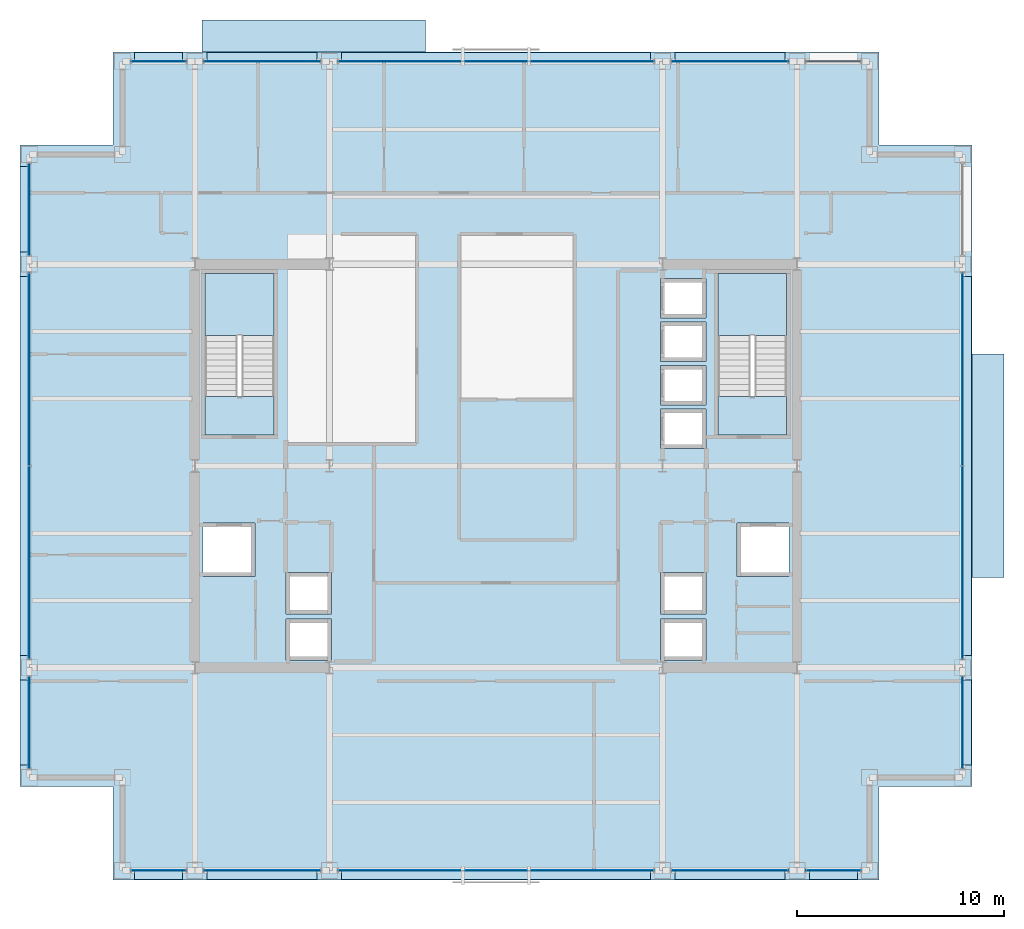
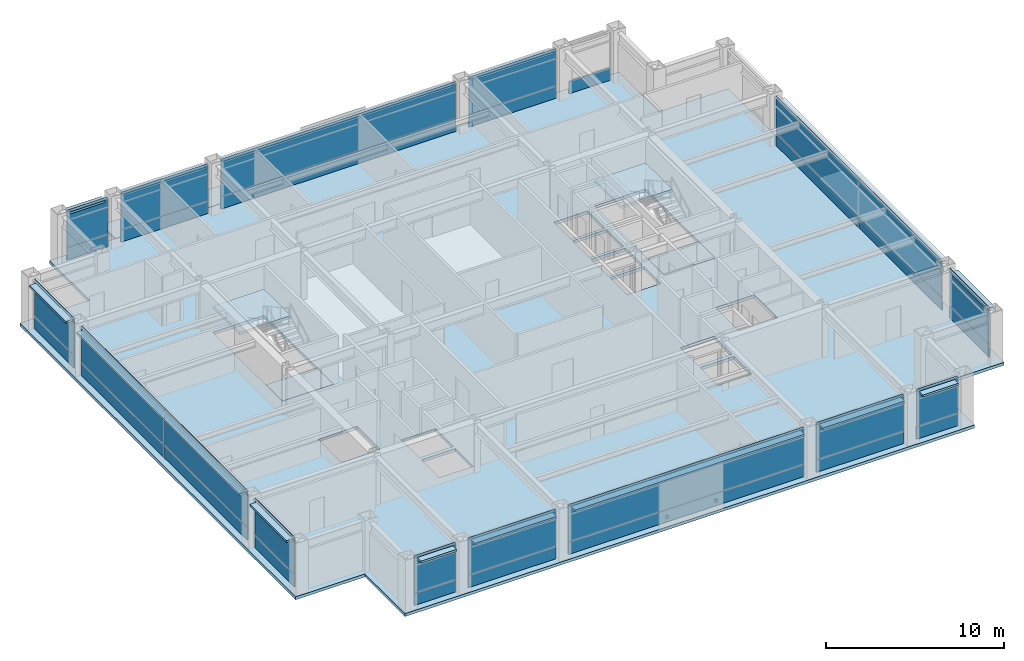
# One storey, part 23 of 28: 47 plates, 7 slabs, 17 elements without a shape of their own.
"""IFC4 building model written with IfcOpenShell, lengths in metres."""

from ifc_helpers import new_model, si_unit, direction, frame, origin, origin_2d, place, context, subcontext, project, spatial, polyline, rectangle, outline, extrude, material, layer, layer_set, type_object, element, aggregate, save


model = new_model("IFC4")

# Units and contexts
model_context = context("Model", 3, precision=1e-05, world=origin(), true_north=direction((0.0, 1.0)))
body_context = subcontext(model_context, "Body", "Model", "MODEL_VIEW")
ifc_project = project(units=[si_unit("LENGTHUNIT", "METRE"), si_unit("AREAUNIT", "SQUARE_METRE"), si_unit("VOLUMEUNIT", "CUBIC_METRE"), si_unit("PLANEANGLEUNIT", "RADIAN"), si_unit("MASSUNIT", "GRAM", prefix="KILO")], contexts=[model_context])

# Site, building, storey
site_placement = place(None, origin())
site = spatial("IfcSite", under=ifc_project, at=site_placement, CompositionType="ELEMENT")
building_placement = place(site_placement, origin())
building = spatial("IfcBuilding", under=site, at=building_placement, Name="Brelmoor Portico Tower", CompositionType="ELEMENT")
storey_placement = place(building_placement, frame((0.0, 0.0, 142.199951171875)))
storey = spatial("IfcBuildingStorey", under=building, at=storey_placement, Name="L37", CompositionType="ELEMENT", Elevation=142.199951171875)

# Curtain wall, plate
ifc_material_1 = material(Name="Anodised Aluminium Alloy 6063-T6", Category="aluminium")
ifc_layer_1 = layer(ifc_material_1, 0.179931640625)
ifc_layer_set_1 = layer_set([ifc_layer_1], Name="Anodised Aluminium Alloy 6063-T6")
curtain_wall_type = type_object("IfcCurtainWallType", Name="CW-TOWER-Z2", PredefinedType="NOTDEFINED", material=ifc_layer_set_1)
curtain_wall_1_placement = place(storey_placement, origin())
curtain_wall_1 = element("IfcCurtainWall", 1, at=curtain_wall_1_placement, inside=storey, type_object=curtain_wall_type, Name="L37 Curtain Wall CW-L37-01-1", PredefinedType="NOTDEFINED")
ifc_material_2 = material(Name="Double-Silver Low-E Insulated Glazing", Category="glass")
ifc_layer_2 = layer(ifc_material_2, 0.035888671875)
ifc_layer_set_2 = layer_set([ifc_layer_2], Name="Double-Silver Low-E Insulated Glazing")
plate_type_1 = type_object("IfcPlateType", Name="PT-CW-GLASS", PredefinedType="CURTAIN_PANEL", material=ifc_layer_set_2)
plate_1_placement = place(storey_placement, frame((-16.300048828125, -19.550048828125, 0.85009765625), z_axis=(0.0, 0.0, 1.0), x_axis=(1.0, 0.0, 0.0)))
plate_1 = element("IfcPlate", 2, at=plate_1_placement, type_object=plate_type_1, Name="CW-L37-01-1 Vision Glass Panel 00", PredefinedType="CURTAIN_PANEL", context=body_context, shape_type="SweptSolid", body=[
    extrude(rectangle(XDim=2.64990234375, YDim=0.035888671875, at=origin_2d()), origin(), (0.0, 0.0, 1.0), 2.550048828125),
])

curtain_wall_2_placement = place(storey_placement, origin())
curtain_wall_2 = element("IfcCurtainWall", 3, at=curtain_wall_2_placement, inside=storey, type_object=curtain_wall_type, Name="L37 Curtain Wall CW-L37-01-2", PredefinedType="NOTDEFINED")
plate_2_placement = place(storey_placement, frame((-11.300048828125, -19.550048828125, 0.85009765625), z_axis=(0.0, 0.0, 1.0), x_axis=(1.0, 0.0, 0.0)))
plate_2 = element("IfcPlate", 4, at=plate_2_placement, type_object=plate_type_1, Name="CW-L37-01-2 Vision Glass Panel 00", PredefinedType="CURTAIN_PANEL", context=body_context, shape_type="SweptSolid", body=[
    extrude(rectangle(XDim=5.64990234375, YDim=0.035888671875, at=origin_2d()), origin(), (0.0, 0.0, 1.0), 2.550048828125),
])

curtain_wall_3_placement = place(storey_placement, origin())
curtain_wall_3 = element("IfcCurtainWall", 5, at=curtain_wall_3_placement, inside=storey, type_object=curtain_wall_type, Name="L37 Curtain Wall CW-L37-01-3", PredefinedType="NOTDEFINED")
plate_3_placement = place(storey_placement, frame((0.0, -19.550048828125, 0.85009765625), z_axis=(0.0, 0.0, 1.0), x_axis=(1.0, 0.0, 0.0)))
plate_3 = element("IfcPlate", 6, at=plate_3_placement, type_object=plate_type_1, Name="CW-L37-01-3 Vision Glass Panel 00", PredefinedType="CURTAIN_PANEL", context=body_context, shape_type="SweptSolid", body=[
    extrude(rectangle(XDim=15.25, YDim=0.035888671875, at=origin_2d()), origin(), (0.0, 0.0, 1.0), 2.550048828125),
])

curtain_wall_4_placement = place(storey_placement, origin())
curtain_wall_4 = element("IfcCurtainWall", 7, at=curtain_wall_4_placement, inside=storey, type_object=curtain_wall_type, Name="L37 Curtain Wall CW-L37-01-4", PredefinedType="NOTDEFINED")
plate_4_placement = place(storey_placement, frame((11.300048828125, -19.550048828125, 0.85009765625), z_axis=(0.0, 0.0, 1.0), x_axis=(1.0, 0.0, 0.0)))
plate_4 = element("IfcPlate", 8, at=plate_4_placement, type_object=plate_type_1, Name="CW-L37-01-4 Vision Glass Panel 00", PredefinedType="CURTAIN_PANEL", context=body_context, shape_type="SweptSolid", body=[
    extrude(rectangle(XDim=5.64990234375, YDim=0.035888671875, at=origin_2d()), origin(), (0.0, 0.0, 1.0), 2.550048828125),
])

curtain_wall_5_placement = place(storey_placement, origin())
curtain_wall_5 = element("IfcCurtainWall", 9, at=curtain_wall_5_placement, inside=storey, type_object=curtain_wall_type, Name="L37 Curtain Wall CW-L37-01-5", PredefinedType="NOTDEFINED")
plate_5_placement = place(storey_placement, frame((16.300048828125, -19.550048828125, 0.85009765625), z_axis=(0.0, 0.0, 1.0), x_axis=(1.0, 0.0, 0.0)))
plate_5 = element("IfcPlate", 10, at=plate_5_placement, type_object=plate_type_1, Name="CW-L37-01-5 Vision Glass Panel 00", PredefinedType="CURTAIN_PANEL", context=body_context, shape_type="SweptSolid", body=[
    extrude(rectangle(XDim=2.64990234375, YDim=0.035888671875, at=origin_2d()), origin(), (0.0, 0.0, 1.0), 2.550048828125),
])

curtain_wall_6_placement = place(storey_placement, origin())
curtain_wall_6 = element("IfcCurtainWall", 11, at=curtain_wall_6_placement, inside=storey, type_object=curtain_wall_type, Name="L37 Curtain Wall CW-L37-02-1", PredefinedType="NOTDEFINED")
plate_6_placement = place(storey_placement, frame((-16.300048828125, 19.550048828125, 0.85009765625), z_axis=(0.0, 0.0, 1.0), x_axis=(1.0, 0.0, 0.0)))
plate_6 = element("IfcPlate", 12, at=plate_6_placement, type_object=plate_type_1, Name="CW-L37-02-1 Vision Glass Panel 00", PredefinedType="CURTAIN_PANEL", context=body_context, shape_type="SweptSolid", body=[
    extrude(rectangle(XDim=2.64990234375, YDim=0.035888671875, at=origin_2d()), origin(), (0.0, 0.0, 1.0), 2.550048828125),
])

curtain_wall_7_placement = place(storey_placement, origin())
curtain_wall_7 = element("IfcCurtainWall", 13, at=curtain_wall_7_placement, inside=storey, type_object=curtain_wall_type, Name="L37 Curtain Wall CW-L37-02-2", PredefinedType="NOTDEFINED")
plate_7_placement = place(storey_placement, frame((-11.300048828125, 19.550048828125, 0.85009765625), z_axis=(0.0, 0.0, 1.0), x_axis=(1.0, 0.0, 0.0)))
plate_7 = element("IfcPlate", 14, at=plate_7_placement, type_object=plate_type_1, Name="CW-L37-02-2 Vision Glass Panel 00", PredefinedType="CURTAIN_PANEL", context=body_context, shape_type="SweptSolid", body=[
    extrude(rectangle(XDim=5.64990234375, YDim=0.035888671875, at=origin_2d()), origin(), (0.0, 0.0, 1.0), 2.550048828125),
])

curtain_wall_8_placement = place(storey_placement, origin())
curtain_wall_8 = element("IfcCurtainWall", 15, at=curtain_wall_8_placement, inside=storey, type_object=curtain_wall_type, Name="L37 Curtain Wall CW-L37-02-3", PredefinedType="NOTDEFINED")
plate_8_placement = place(storey_placement, frame((0.0, 19.550048828125, 0.85009765625), z_axis=(0.0, 0.0, 1.0), x_axis=(1.0, 0.0, 0.0)))
plate_8 = element("IfcPlate", 16, at=plate_8_placement, type_object=plate_type_1, Name="CW-L37-02-3 Vision Glass Panel 00", PredefinedType="CURTAIN_PANEL", context=body_context, shape_type="SweptSolid", body=[
    extrude(rectangle(XDim=15.25, YDim=0.035888671875, at=origin_2d()), origin(), (0.0, 0.0, 1.0), 2.550048828125),
])

curtain_wall_9_placement = place(storey_placement, origin())
curtain_wall_9 = element("IfcCurtainWall", 17, at=curtain_wall_9_placement, inside=storey, type_object=curtain_wall_type, Name="L37 Curtain Wall CW-L37-02-4", PredefinedType="NOTDEFINED")
plate_9_placement = place(storey_placement, frame((11.300048828125, 19.550048828125, 0.85009765625), z_axis=(0.0, 0.0, 1.0), x_axis=(1.0, 0.0, 0.0)))
plate_9 = element("IfcPlate", 18, at=plate_9_placement, type_object=plate_type_1, Name="CW-L37-02-4 Vision Glass Panel 00", PredefinedType="CURTAIN_PANEL", context=body_context, shape_type="SweptSolid", body=[
    extrude(rectangle(XDim=5.64990234375, YDim=0.035888671875, at=origin_2d()), origin(), (0.0, 0.0, 1.0), 2.550048828125),
])

curtain_wall_10_placement = place(storey_placement, origin())
curtain_wall_10 = element("IfcCurtainWall", 19, at=curtain_wall_10_placement, inside=storey, type_object=curtain_wall_type, Name="L37 Curtain Wall CW-L37-03-1", PredefinedType="NOTDEFINED")
plate_10_placement = place(storey_placement, frame((-22.550048828125, -12.39990234375, 0.85009765625), z_axis=(0.0, 0.0, 1.0), x_axis=(0.0, 1.0, 0.0)))
plate_10 = element("IfcPlate", 20, at=plate_10_placement, type_object=plate_type_1, Name="CW-L37-03-1 Vision Glass Panel 00", PredefinedType="CURTAIN_PANEL", context=body_context, shape_type="SweptSolid", body=[
    extrude(rectangle(XDim=4.449951171875, YDim=0.035888671875, at=origin_2d()), origin(), (0.0, 0.0, 1.0), 2.550048828125),
])

# Curtain wall, plates
curtain_wall_11_placement = place(storey_placement, origin())
curtain_wall_11 = element("IfcCurtainWall", 21, at=curtain_wall_11_placement, inside=storey, type_object=curtain_wall_type, Name="L37 Curtain Wall CW-L37-03-2", PredefinedType="NOTDEFINED")
plate_11_placement = place(storey_placement, frame((-22.550048828125, -4.669921875, 0.85009765625), z_axis=(0.0, 0.0, 1.0), x_axis=(0.0, 1.0, 0.0)))
plate_11 = element("IfcPlate", 22, at=plate_11_placement, type_object=plate_type_1, Name="CW-L37-03-2 Vision Glass Panel 00", PredefinedType="CURTAIN_PANEL", context=body_context, shape_type="SweptSolid", body=[
    extrude(rectangle(XDim=9.31005859375, YDim=0.035888671875, at=origin_2d()), origin(), (0.0, 0.0, 1.0), 2.550048828125),
])
plate_12_placement = place(storey_placement, frame((-22.550048828125, 4.669921875, 0.85009765625), z_axis=(0.0, 0.0, 1.0), x_axis=(0.0, 1.0, 0.0)))
plate_12 = element("IfcPlate", 23, at=plate_12_placement, type_object=plate_type_1, Name="CW-L37-03-2 Vision Glass Panel 01", PredefinedType="CURTAIN_PANEL", context=body_context, shape_type="SweptSolid", body=[
    extrude(rectangle(XDim=9.31005859375, YDim=0.035888671875, at=origin_2d()), origin(), (0.0, 0.0, 1.0), 2.550048828125),
])

# Curtain wall, plate
curtain_wall_12_placement = place(storey_placement, origin())
curtain_wall_12 = element("IfcCurtainWall", 24, at=curtain_wall_12_placement, inside=storey, type_object=curtain_wall_type, Name="L37 Curtain Wall CW-L37-03-3", PredefinedType="NOTDEFINED")
plate_13_placement = place(storey_placement, frame((-22.550048828125, 12.39990234375, 0.85009765625), z_axis=(0.0, 0.0, 1.0), x_axis=(0.0, 1.0, 0.0)))
plate_13 = element("IfcPlate", 25, at=plate_13_placement, type_object=plate_type_1, Name="CW-L37-03-3 Vision Glass Panel 00", PredefinedType="CURTAIN_PANEL", context=body_context, shape_type="SweptSolid", body=[
    extrude(rectangle(XDim=4.449951171875, YDim=0.035888671875, at=origin_2d()), origin(), (0.0, 0.0, 1.0), 2.550048828125),
])

curtain_wall_13_placement = place(storey_placement, origin())
curtain_wall_13 = element("IfcCurtainWall", 26, at=curtain_wall_13_placement, inside=storey, type_object=curtain_wall_type, Name="L37 Curtain Wall CW-L37-04-1", PredefinedType="NOTDEFINED")
plate_14_placement = place(storey_placement, frame((22.550048828125, -12.39990234375, 0.85009765625), z_axis=(0.0, 0.0, 1.0), x_axis=(0.0, 1.0, 0.0)))
plate_14 = element("IfcPlate", 27, at=plate_14_placement, type_object=plate_type_1, Name="CW-L37-04-1 Vision Glass Panel 00", PredefinedType="CURTAIN_PANEL", context=body_context, shape_type="SweptSolid", body=[
    extrude(rectangle(XDim=4.449951171875, YDim=0.035888671875, at=origin_2d()), origin(), (0.0, 0.0, 1.0), 2.550048828125),
])

# Curtain wall, plates
curtain_wall_14_placement = place(storey_placement, origin())
curtain_wall_14 = element("IfcCurtainWall", 28, at=curtain_wall_14_placement, inside=storey, type_object=curtain_wall_type, Name="L37 Curtain Wall CW-L37-04-2", PredefinedType="NOTDEFINED")
plate_15_placement = place(storey_placement, frame((22.550048828125, -4.669921875, 0.85009765625), z_axis=(0.0, 0.0, 1.0), x_axis=(0.0, 1.0, 0.0)))
plate_15 = element("IfcPlate", 29, at=plate_15_placement, type_object=plate_type_1, Name="CW-L37-04-2 Vision Glass Panel 00", PredefinedType="CURTAIN_PANEL", context=body_context, shape_type="SweptSolid", body=[
    extrude(rectangle(XDim=9.31005859375, YDim=0.035888671875, at=origin_2d()), origin(), (0.0, 0.0, 1.0), 2.550048828125),
])
plate_16_placement = place(storey_placement, frame((22.550048828125, 4.669921875, 0.85009765625), z_axis=(0.0, 0.0, 1.0), x_axis=(0.0, 1.0, 0.0)))
plate_16 = element("IfcPlate", 30, at=plate_16_placement, type_object=plate_type_1, Name="CW-L37-04-2 Vision Glass Panel 01", PredefinedType="CURTAIN_PANEL", context=body_context, shape_type="SweptSolid", body=[
    extrude(rectangle(XDim=9.31005859375, YDim=0.035888671875, at=origin_2d()), origin(), (0.0, 0.0, 1.0), 2.550048828125),
])

# Plate
ifc_material_3 = material(Name="Pale Champagne Anodised Aluminium Panel", Category="aluminium")
ifc_layer_3 = layer(ifc_material_3, 0.050048828125)
ifc_layer_set_3 = layer_set([ifc_layer_3], Name="Pale Champagne Anodised Aluminium Panel")
plate_type_2 = type_object("IfcPlateType", Name="PT-CW-SPANDREL", PredefinedType="SHEET", material=ifc_layer_set_3)
plate_17_placement = place(storey_placement, frame((-16.300048828125, -19.550048828125, 0.0), z_axis=(0.0, 0.0, 1.0), x_axis=(1.0, 0.0, 0.0)))
plate_17 = element("IfcPlate", 31, at=plate_17_placement, type_object=plate_type_2, Name="CW-L37-01-1 Spandrel Panel 00", PredefinedType="SHEET", context=body_context, shape_type="SweptSolid", body=[
    extrude(rectangle(XDim=2.64990234375, YDim=0.050048828125, at=origin_2d()), origin(), (0.0, 0.0, 1.0), 0.85009765625),
])

aggregate(curtain_wall_1, [plate_17, plate_1])

plate_18_placement = place(storey_placement, frame((-11.300048828125, -19.550048828125, 0.0), z_axis=(0.0, 0.0, 1.0), x_axis=(1.0, 0.0, 0.0)))
plate_18 = element("IfcPlate", 32, at=plate_18_placement, type_object=plate_type_2, Name="CW-L37-01-2 Spandrel Panel 00", PredefinedType="SHEET", context=body_context, shape_type="SweptSolid", body=[
    extrude(rectangle(XDim=5.64990234375, YDim=0.050048828125, at=origin_2d()), origin(), (0.0, 0.0, 1.0), 0.85009765625),
])

aggregate(curtain_wall_2, [plate_18, plate_2])

plate_19_placement = place(storey_placement, frame((0.0, -19.550048828125, 0.0), z_axis=(0.0, 0.0, 1.0), x_axis=(1.0, 0.0, 0.0)))
plate_19 = element("IfcPlate", 33, at=plate_19_placement, type_object=plate_type_2, Name="CW-L37-01-3 Spandrel Panel 00", PredefinedType="SHEET", context=body_context, shape_type="SweptSolid", body=[
    extrude(rectangle(XDim=15.25, YDim=0.050048828125, at=origin_2d()), origin(), (0.0, 0.0, 1.0), 0.85009765625),
])

aggregate(curtain_wall_3, [plate_19, plate_3])

plate_20_placement = place(storey_placement, frame((11.300048828125, -19.550048828125, 0.0), z_axis=(0.0, 0.0, 1.0), x_axis=(1.0, 0.0, 0.0)))
plate_20 = element("IfcPlate", 34, at=plate_20_placement, type_object=plate_type_2, Name="CW-L37-01-4 Spandrel Panel 00", PredefinedType="SHEET", context=body_context, shape_type="SweptSolid", body=[
    extrude(rectangle(XDim=5.64990234375, YDim=0.050048828125, at=origin_2d()), origin(), (0.0, 0.0, 1.0), 0.85009765625),
])

aggregate(curtain_wall_4, [plate_20, plate_4])

plate_21_placement = place(storey_placement, frame((16.300048828125, -19.550048828125, 0.0), z_axis=(0.0, 0.0, 1.0), x_axis=(1.0, 0.0, 0.0)))
plate_21 = element("IfcPlate", 35, at=plate_21_placement, type_object=plate_type_2, Name="CW-L37-01-5 Spandrel Panel 00", PredefinedType="SHEET", context=body_context, shape_type="SweptSolid", body=[
    extrude(rectangle(XDim=2.64990234375, YDim=0.050048828125, at=origin_2d()), origin(), (0.0, 0.0, 1.0), 0.85009765625),
])

aggregate(curtain_wall_5, [plate_21, plate_5])

plate_22_placement = place(storey_placement, frame((-16.300048828125, 19.550048828125, 0.0), z_axis=(0.0, 0.0, 1.0), x_axis=(1.0, 0.0, 0.0)))
plate_22 = element("IfcPlate", 36, at=plate_22_placement, type_object=plate_type_2, Name="CW-L37-02-1 Spandrel Panel 00", PredefinedType="SHEET", context=body_context, shape_type="SweptSolid", body=[
    extrude(rectangle(XDim=2.64990234375, YDim=0.050048828125, at=origin_2d()), origin(), (0.0, 0.0, 1.0), 0.85009765625),
])

aggregate(curtain_wall_6, [plate_22, plate_6])

plate_23_placement = place(storey_placement, frame((-11.300048828125, 19.550048828125, 0.0), z_axis=(0.0, 0.0, 1.0), x_axis=(1.0, 0.0, 0.0)))
plate_23 = element("IfcPlate", 37, at=plate_23_placement, type_object=plate_type_2, Name="CW-L37-02-2 Spandrel Panel 00", PredefinedType="SHEET", context=body_context, shape_type="SweptSolid", body=[
    extrude(rectangle(XDim=5.64990234375, YDim=0.050048828125, at=origin_2d()), origin(), (0.0, 0.0, 1.0), 0.85009765625),
])

aggregate(curtain_wall_7, [plate_23, plate_7])

plate_24_placement = place(storey_placement, frame((0.0, 19.550048828125, 0.0), z_axis=(0.0, 0.0, 1.0), x_axis=(1.0, 0.0, 0.0)))
plate_24 = element("IfcPlate", 38, at=plate_24_placement, type_object=plate_type_2, Name="CW-L37-02-3 Spandrel Panel 00", PredefinedType="SHEET", context=body_context, shape_type="SweptSolid", body=[
    extrude(rectangle(XDim=15.25, YDim=0.050048828125, at=origin_2d()), origin(), (0.0, 0.0, 1.0), 0.85009765625),
])

aggregate(curtain_wall_8, [plate_24, plate_8])

plate_25_placement = place(storey_placement, frame((11.300048828125, 19.550048828125, 0.0), z_axis=(0.0, 0.0, 1.0), x_axis=(1.0, 0.0, 0.0)))
plate_25 = element("IfcPlate", 39, at=plate_25_placement, type_object=plate_type_2, Name="CW-L37-02-4 Spandrel Panel 00", PredefinedType="SHEET", context=body_context, shape_type="SweptSolid", body=[
    extrude(rectangle(XDim=5.64990234375, YDim=0.050048828125, at=origin_2d()), origin(), (0.0, 0.0, 1.0), 0.85009765625),
])

aggregate(curtain_wall_9, [plate_25, plate_9])

# Curtain wall, plate
curtain_wall_15_placement = place(storey_placement, origin())
curtain_wall_15 = element("IfcCurtainWall", 40, at=curtain_wall_15_placement, inside=storey, type_object=curtain_wall_type, Name="L37 Curtain Wall CW-L37-02-5", PredefinedType="NOTDEFINED")
plate_26_placement = place(storey_placement, frame((16.300048828125, 19.550048828125, 0.0), z_axis=(0.0, 0.0, 1.0), x_axis=(1.0, 0.0, 0.0)))
plate_26 = element("IfcPlate", 41, at=plate_26_placement, type_object=plate_type_2, Name="CW-L37-02-5 Spandrel Panel 00", PredefinedType="SHEET", context=body_context, shape_type="SweptSolid", body=[
    extrude(rectangle(XDim=2.64990234375, YDim=0.050048828125, at=origin_2d()), origin(), (0.0, 0.0, 1.0), 0.85009765625),
])
aggregate(curtain_wall_15, [plate_26])

# Plate
plate_27_placement = place(storey_placement, frame((-22.550048828125, -12.39990234375, 0.0), z_axis=(0.0, 0.0, 1.0), x_axis=(0.0, 1.0, 0.0)))
plate_27 = element("IfcPlate", 42, at=plate_27_placement, type_object=plate_type_2, Name="CW-L37-03-1 Spandrel Panel 00", PredefinedType="SHEET", context=body_context, shape_type="SweptSolid", body=[
    extrude(rectangle(XDim=4.449951171875, YDim=0.050048828125, at=origin_2d()), origin(), (0.0, 0.0, 1.0), 0.85009765625),
])

aggregate(curtain_wall_10, [plate_27, plate_10])

plate_28_placement = place(storey_placement, frame((-22.550048828125, -4.669921875, 0.0), z_axis=(0.0, 0.0, 1.0), x_axis=(0.0, 1.0, 0.0)))
plate_28 = element("IfcPlate", 43, at=plate_28_placement, type_object=plate_type_2, Name="CW-L37-03-2 Spandrel Panel 00", PredefinedType="SHEET", context=body_context, shape_type="SweptSolid", body=[
    extrude(rectangle(XDim=9.31005859375, YDim=0.050048828125, at=origin_2d()), origin(), (0.0, 0.0, 1.0), 0.85009765625),
])

plate_29_placement = place(storey_placement, frame((-22.550048828125, 4.669921875, 0.0), z_axis=(0.0, 0.0, 1.0), x_axis=(0.0, 1.0, 0.0)))
plate_29 = element("IfcPlate", 44, at=plate_29_placement, type_object=plate_type_2, Name="CW-L37-03-2 Spandrel Panel 01", PredefinedType="SHEET", context=body_context, shape_type="SweptSolid", body=[
    extrude(rectangle(XDim=9.31005859375, YDim=0.050048828125, at=origin_2d()), origin(), (0.0, 0.0, 1.0), 0.85009765625),
])

aggregate(curtain_wall_11, [plate_28, plate_11, plate_29, plate_12])

plate_30_placement = place(storey_placement, frame((-22.550048828125, 12.39990234375, 0.0), z_axis=(0.0, 0.0, 1.0), x_axis=(0.0, 1.0, 0.0)))
plate_30 = element("IfcPlate", 45, at=plate_30_placement, type_object=plate_type_2, Name="CW-L37-03-3 Spandrel Panel 00", PredefinedType="SHEET", context=body_context, shape_type="SweptSolid", body=[
    extrude(rectangle(XDim=4.449951171875, YDim=0.050048828125, at=origin_2d()), origin(), (0.0, 0.0, 1.0), 0.85009765625),
])

aggregate(curtain_wall_12, [plate_30, plate_13])

plate_31_placement = place(storey_placement, frame((22.550048828125, -12.39990234375, 0.0), z_axis=(0.0, 0.0, 1.0), x_axis=(0.0, 1.0, 0.0)))
plate_31 = element("IfcPlate", 46, at=plate_31_placement, type_object=plate_type_2, Name="CW-L37-04-1 Spandrel Panel 00", PredefinedType="SHEET", context=body_context, shape_type="SweptSolid", body=[
    extrude(rectangle(XDim=4.449951171875, YDim=0.050048828125, at=origin_2d()), origin(), (0.0, 0.0, 1.0), 0.85009765625),
])

aggregate(curtain_wall_13, [plate_31, plate_14])

plate_32_placement = place(storey_placement, frame((22.550048828125, -4.669921875, 0.0), z_axis=(0.0, 0.0, 1.0), x_axis=(0.0, 1.0, 0.0)))
plate_32 = element("IfcPlate", 47, at=plate_32_placement, type_object=plate_type_2, Name="CW-L37-04-2 Spandrel Panel 00", PredefinedType="SHEET", context=body_context, shape_type="SweptSolid", body=[
    extrude(rectangle(XDim=9.31005859375, YDim=0.050048828125, at=origin_2d()), origin(), (0.0, 0.0, 1.0), 0.85009765625),
])

plate_33_placement = place(storey_placement, frame((22.550048828125, 4.669921875, 0.0), z_axis=(0.0, 0.0, 1.0), x_axis=(0.0, 1.0, 0.0)))
plate_33 = element("IfcPlate", 48, at=plate_33_placement, type_object=plate_type_2, Name="CW-L37-04-2 Spandrel Panel 01", PredefinedType="SHEET", context=body_context, shape_type="SweptSolid", body=[
    extrude(rectangle(XDim=9.31005859375, YDim=0.050048828125, at=origin_2d()), origin(), (0.0, 0.0, 1.0), 0.85009765625),
])

aggregate(curtain_wall_14, [plate_32, plate_15, plate_33, plate_16])

# Plates
ifc_material_4 = material(Name="Pale Champagne Perforated Aluminium Solar Screen", Category="aluminium")
ifc_layer_4 = layer(ifc_material_4, 0.054931640625)
ifc_layer_set_4 = layer_set([ifc_layer_4], Name="Pale Champagne Perforated Aluminium Solar Screen")
plate_type_3 = type_object("IfcPlateType", Name="PT-SOLAR-LOUVRE", PredefinedType="SHEET", material=ifc_layer_set_4)
plate_34_placement = place(storey_placement, frame((-16.300048828125, -19.760009765625, 3.09033203125), z_axis=(0.0, 0.0, 1.0), x_axis=(1.0, 0.0, 0.0)))
element("IfcPlate", 49, at=plate_34_placement, inside=storey, type_object=plate_type_3, Name="CW-L37-01-1 Caribbean Brise-Soleil Solar Screen", PredefinedType="SHEET", context=body_context, shape_type="SweptSolid", body=[
    extrude(rectangle(XDim=2.320068359375, YDim=0.4599609375, at=origin_2d()), origin(), (0.0, 0.0, 1.0), 0.139892578125),
])
plate_35_placement = place(storey_placement, frame((-11.300048828125, -19.760009765625, 3.09033203125), z_axis=(0.0, 0.0, 1.0), x_axis=(1.0, 0.0, 0.0)))
element("IfcPlate", 50, at=plate_35_placement, inside=storey, type_object=plate_type_3, Name="CW-L37-01-2 Caribbean Brise-Soleil Solar Screen", PredefinedType="SHEET", context=body_context, shape_type="SweptSolid", body=[
    extrude(rectangle(XDim=5.320068359375, YDim=0.4599609375, at=origin_2d()), origin(), (0.0, 0.0, 1.0), 0.139892578125),
])
plate_36_placement = place(storey_placement, frame((0.0, -19.760009765625, 3.09033203125), z_axis=(0.0, 0.0, 1.0), x_axis=(1.0, 0.0, 0.0)))
element("IfcPlate", 51, at=plate_36_placement, inside=storey, type_object=plate_type_3, Name="CW-L37-01-3 Caribbean Brise-Soleil Solar Screen", PredefinedType="SHEET", context=body_context, shape_type="SweptSolid", body=[
    extrude(rectangle(XDim=14.919921875, YDim=0.4599609375, at=origin_2d()), origin(), (0.0, 0.0, 1.0), 0.139892578125),
])
plate_37_placement = place(storey_placement, frame((11.300048828125, -19.760009765625, 3.09033203125), z_axis=(0.0, 0.0, 1.0), x_axis=(1.0, 0.0, 0.0)))
element("IfcPlate", 52, at=plate_37_placement, inside=storey, type_object=plate_type_3, Name="CW-L37-01-4 Caribbean Brise-Soleil Solar Screen", PredefinedType="SHEET", context=body_context, shape_type="SweptSolid", body=[
    extrude(rectangle(XDim=5.320068359375, YDim=0.4599609375, at=origin_2d()), origin(), (0.0, 0.0, 1.0), 0.139892578125),
])
for number, where, z_axis, x_axis, name in (
    (53, (16.300048828125, -19.760009765625, 3.09033203125), (0.0, 0.0, 1.0), (1.0, 0.0, 0.0), "CW-L37-01-5 Caribbean Brise-Soleil Solar Screen"),
    (54, (-16.300048828125, 19.760009765625, 3.09033203125), (0.0, 0.0, 1.0), (1.0, 0.0, 0.0), "CW-L37-02-1 Caribbean Brise-Soleil Solar Screen"),
):
    element("IfcPlate", number, at=place(storey_placement, frame(where, z_axis=z_axis, x_axis=x_axis)), inside=storey, type_object=plate_type_3, Name=name, PredefinedType="SHEET", context=body_context, shape_type="SweptSolid", body=[
        extrude(rectangle(XDim=2.320068359375, YDim=0.4599609375, at=origin_2d()), origin(), (0.0, 0.0, 1.0), 0.139892578125),
    ])
plate_38_placement = place(storey_placement, frame((-11.300048828125, 19.760009765625, 3.09033203125), z_axis=(0.0, 0.0, 1.0), x_axis=(1.0, 0.0, 0.0)))
element("IfcPlate", 55, at=plate_38_placement, inside=storey, type_object=plate_type_3, Name="CW-L37-02-2 Caribbean Brise-Soleil Solar Screen", PredefinedType="SHEET", context=body_context, shape_type="SweptSolid", body=[
    extrude(rectangle(XDim=5.320068359375, YDim=0.4599609375, at=origin_2d()), origin(), (0.0, 0.0, 1.0), 0.139892578125),
])
plate_39_placement = place(storey_placement, frame((0.0, 19.760009765625, 3.09033203125), z_axis=(0.0, 0.0, 1.0), x_axis=(1.0, 0.0, 0.0)))
element("IfcPlate", 56, at=plate_39_placement, inside=storey, type_object=plate_type_3, Name="CW-L37-02-3 Caribbean Brise-Soleil Solar Screen", PredefinedType="SHEET", context=body_context, shape_type="SweptSolid", body=[
    extrude(rectangle(XDim=14.919921875, YDim=0.4599609375, at=origin_2d()), origin(), (0.0, 0.0, 1.0), 0.139892578125),
])
plate_40_placement = place(storey_placement, frame((11.300048828125, 19.760009765625, 3.09033203125), z_axis=(0.0, 0.0, 1.0), x_axis=(1.0, 0.0, 0.0)))
element("IfcPlate", 57, at=plate_40_placement, inside=storey, type_object=plate_type_3, Name="CW-L37-02-4 Caribbean Brise-Soleil Solar Screen", PredefinedType="SHEET", context=body_context, shape_type="SweptSolid", body=[
    extrude(rectangle(XDim=5.320068359375, YDim=0.4599609375, at=origin_2d()), origin(), (0.0, 0.0, 1.0), 0.139892578125),
])
plate_41_placement = place(storey_placement, frame((-22.760009765625, -12.39990234375, 3.09033203125), z_axis=(0.0, 0.0, 1.0), x_axis=(0.0, 1.0, 0.0)))
element("IfcPlate", 58, at=plate_41_placement, inside=storey, type_object=plate_type_3, Name="CW-L37-03-1 Caribbean Brise-Soleil Solar Screen", PredefinedType="SHEET", context=body_context, shape_type="SweptSolid", body=[
    extrude(rectangle(XDim=4.1201171875, YDim=0.4599609375, at=origin_2d()), origin(), (0.0, 0.0, 1.0), 0.139892578125),
])
plate_42_placement = place(storey_placement, frame((-22.760009765625, 0.0, 3.09033203125), z_axis=(0.0, 0.0, 1.0), x_axis=(0.0, 1.0, 0.0)))
element("IfcPlate", 59, at=plate_42_placement, inside=storey, type_object=plate_type_3, Name="CW-L37-03-2 Caribbean Brise-Soleil Solar Screen", PredefinedType="SHEET", context=body_context, shape_type="SweptSolid", body=[
    extrude(rectangle(XDim=18.320068359375, YDim=0.4599609375, at=origin_2d()), origin(), (0.0, 0.0, 1.0), 0.139892578125),
])
for number, where, z_axis, x_axis, name in (
    (60, (-22.760009765625, 12.39990234375, 3.09033203125), (0.0, 0.0, 1.0), (0.0, 1.0, 0.0), "CW-L37-03-3 Caribbean Brise-Soleil Solar Screen"),
    (61, (22.760009765625, -12.39990234375, 3.09033203125), (0.0, 0.0, 1.0), (0.0, 1.0, 0.0), "CW-L37-04-1 Caribbean Brise-Soleil Solar Screen"),
):
    element("IfcPlate", number, at=place(storey_placement, frame(where, z_axis=z_axis, x_axis=x_axis)), inside=storey, type_object=plate_type_3, Name=name, PredefinedType="SHEET", context=body_context, shape_type="SweptSolid", body=[
        extrude(rectangle(XDim=4.1201171875, YDim=0.4599609375, at=origin_2d()), origin(), (0.0, 0.0, 1.0), 0.139892578125),
    ])
plate_43_placement = place(storey_placement, frame((22.760009765625, 0.0, 3.09033203125), z_axis=(0.0, 0.0, 1.0), x_axis=(0.0, 1.0, 0.0)))
element("IfcPlate", 62, at=plate_43_placement, inside=storey, type_object=plate_type_3, Name="CW-L37-04-2 Caribbean Brise-Soleil Solar Screen", PredefinedType="SHEET", context=body_context, shape_type="SweptSolid", body=[
    extrude(rectangle(XDim=18.320068359375, YDim=0.4599609375, at=origin_2d()), origin(), (0.0, 0.0, 1.0), 0.139892578125),
])

# Slab
ifc_material_5 = material(Name="Concrete C40", Category="concrete")
ifc_layer_5 = layer(ifc_material_5, 0.199951171875)
ifc_layer_set_5 = layer_set([ifc_layer_5], Name="Concrete C40")
slab_type_1 = type_object("IfcSlabType", Name="SL-FLOOR-200", PredefinedType="FLOOR", material=ifc_layer_set_5)
slab_1_placement = place(storey_placement, frame((0.0, 0.0, -0.199951171875)))
element("IfcSlab", 63, at=slab_1_placement, inside=storey, type_object=slab_type_1, Name="L37 Main Structural Floor Slab", PredefinedType="FLOOR", context=body_context, shape_type="SweptSolid", body=[
    extrude(outline(polyline([(-18.5, -20.0), (18.5, -20.0), (18.5, -15.5), (23.0, -15.5), (23.0, 15.5), (18.5, 15.5), (18.5, 20.0), (-18.5, 20.0), (-18.5, 15.5), (-23.0, 15.5), (-23.0, -15.5), (-18.5, -15.5), (-18.5, -20.0)]), holes=[polyline([(-10.72998046875, 1.5), (-10.72998046875, 9.300048828125), (-14.050048828125, 9.300048828125), (-14.050048828125, 1.5), (-10.72998046875, 1.5)]), polyline([(14.050048828125, 1.5), (14.050048828125, 9.300048828125), (10.72998046875, 9.300048828125), (10.72998046875, 1.5), (14.050048828125, 1.5)]), polyline([(7.949951171875, 0.85009765625), (10.14990234375, 0.85009765625), (10.14990234375, 2.75), (7.949951171875, 2.75), (7.949951171875, 0.85009765625)]), polyline([(7.949951171875, 2.949951171875), (10.14990234375, 2.949951171875), (10.14990234375, 4.85009765625), (7.949951171875, 4.85009765625), (7.949951171875, 2.949951171875)]), polyline([(7.949951171875, 5.050048828125), (10.14990234375, 5.050048828125), (10.14990234375, 6.949951171875), (7.949951171875, 6.949951171875), (7.949951171875, 5.050048828125)]), polyline([(7.949951171875, 7.14990234375), (10.14990234375, 7.14990234375), (10.14990234375, 9.050048828125), (7.949951171875, 9.050048828125), (7.949951171875, 7.14990234375)]), polyline([(-10.14990234375, -9.39990234375), (-7.949951171875, -9.39990234375), (-7.949951171875, -7.39990234375), (-10.14990234375, -7.39990234375), (-10.14990234375, -9.39990234375)]), polyline([(-10.14990234375, -7.14990234375), (-7.949951171875, -7.14990234375), (-7.949951171875, -5.14990234375), (-10.14990234375, -5.14990234375), (-10.14990234375, -7.14990234375)]), polyline([(7.949951171875, -9.39990234375), (10.14990234375, -9.39990234375), (10.14990234375, -7.39990234375), (7.949951171875, -7.39990234375), (7.949951171875, -9.39990234375)]), polyline([(7.949951171875, -7.14990234375), (10.14990234375, -7.14990234375), (10.14990234375, -5.14990234375), (7.949951171875, -5.14990234375), (7.949951171875, -7.14990234375)]), polyline([(-14.14990234375, -5.35009765625), (-11.64990234375, -5.35009765625), (-11.64990234375, -2.75), (-14.14990234375, -2.75), (-14.14990234375, -5.35009765625)]), polyline([(11.64990234375, -5.35009765625), (14.14990234375, -5.35009765625), (14.14990234375, -2.75), (11.64990234375, -2.75), (11.64990234375, -5.35009765625)])]), origin(), (0.0, 0.0, 1.0), 0.199951171875),
])

# Stair, slab
stair_type_1 = type_object("IfcStairType", Name="ST-CORE-W", PredefinedType="HALF_TURN_STAIR", material=ifc_material_5)
stair_1_placement = place(storey_placement, origin())
stair_1 = element("IfcStair", 64, at=stair_1_placement, inside=storey, type_object=stair_type_1, Name="L37 Protected Core Exit Stair ST-W", PredefinedType="HALF_TURN_STAIR")
ifc_layer_6 = layer(ifc_material_5, 0.179931640625)
ifc_layer_set_6 = layer_set([ifc_layer_6], Name="Concrete C40")
slab_type_2 = type_object("IfcSlabType", Name="SL-LANDING-180", PredefinedType="LANDING", material=ifc_layer_set_6)
slab_2_placement = place(storey_placement, frame((0.0, 0.0, 1.60009765625)))
slab_2 = element("IfcSlab", 65, at=slab_2_placement, type_object=slab_type_2, Name="ST-W landing 1", PredefinedType="LANDING", context=body_context, shape_type="SweptSolid", body=[
    extrude(outline(polyline([(-10.72998046875, 6.300048828125), (-10.72998046875, 9.300048828125), (-14.050048828125, 9.300048828125), (-14.050048828125, 6.300048828125), (-10.72998046875, 6.300048828125)])), origin(), (0.0, 0.0, 1.0), 0.199951171875),
])
aggregate(stair_1, [slab_2])

stair_type_2 = type_object("IfcStairType", Name="ST-CORE-E", PredefinedType="HALF_TURN_STAIR", material=ifc_material_5)
stair_2_placement = place(storey_placement, origin())
stair_2 = element("IfcStair", 66, at=stair_2_placement, inside=storey, type_object=stair_type_2, Name="L37 Protected Core Exit Stair ST-E", PredefinedType="HALF_TURN_STAIR")
slab_3_placement = place(storey_placement, frame((0.0, 0.0, 1.60009765625)))
slab_3 = element("IfcSlab", 67, at=slab_3_placement, type_object=slab_type_2, Name="ST-E landing 1", PredefinedType="LANDING", context=body_context, shape_type="SweptSolid", body=[
    extrude(outline(polyline([(14.050048828125, 6.300048828125), (14.050048828125, 9.300048828125), (10.72998046875, 9.300048828125), (10.72998046875, 6.300048828125), (14.050048828125, 6.300048828125)])), origin(), (0.0, 0.0, 1.0), 0.199951171875),
])
aggregate(stair_2, [slab_3])

# Slabs
ifc_layer_7 = layer(ifc_material_5, 0.199951171875)
ifc_layer_set_7 = layer_set([ifc_layer_7], Name="Concrete C40")
slab_type_3 = type_object("IfcSlabType", Name="SL-ROOF-200", PredefinedType="ROOF", material=ifc_layer_set_7)
slab_4_placement = place(storey_placement, frame((0.0, 0.0, -0.199951171875)))
element("IfcSlab", 68, at=slab_4_placement, inside=storey, type_object=slab_type_3, Name="L37 Picture-Frame Top Hood Slab N", PredefinedType="ROOF", context=body_context, shape_type="SweptSolid", body=[
    extrude(outline(polyline([(-14.199951171875, 20.0), (-3.39990234375, 20.0), (-3.39990234375, 21.550048828125), (-14.199951171875, 21.550048828125), (-14.199951171875, 20.0)])), origin(), (0.0, 0.0, 1.0), 0.199951171875),
])
slab_5_placement = place(storey_placement, frame((0.0, 0.0, -0.199951171875)))
element("IfcSlab", 69, at=slab_5_placement, inside=storey, type_object=slab_type_3, Name="L37 Picture-Frame Top Hood Slab E", PredefinedType="ROOF", context=body_context, shape_type="SweptSolid", body=[
    extrude(outline(polyline([(23.0, -5.39990234375), (24.550048828125, -5.39990234375), (24.550048828125, 5.39990234375), (23.0, 5.39990234375), (23.0, -5.39990234375)])), origin(), (0.0, 0.0, 1.0), 0.199951171875),
])
ifc_layer_8 = layer(ifc_material_5, 0.199951171875)
ifc_layer_set_8 = layer_set([ifc_layer_8], Name="Concrete C40")
slab_type_4 = type_object("IfcSlabType", Name="SL-STAIR-FL200", PredefinedType="LANDING", material=ifc_layer_set_8)
slab_6_placement = place(storey_placement, frame((0.0, 0.0, -0.199951171875)))
element("IfcSlab", 70, at=slab_6_placement, inside=storey, type_object=slab_type_4, Name="L37 ST-W Structural Floor Landing Slab", PredefinedType="LANDING", context=body_context, shape_type="SweptSolid", body=[
    extrude(outline(polyline([(-10.72998046875, 1.5), (-10.72998046875, 3.35009765625), (-14.050048828125, 3.35009765625), (-14.050048828125, 1.5), (-10.72998046875, 1.5)])), origin(), (0.0, 0.0, 1.0), 0.199951171875),
])
slab_7_placement = place(storey_placement, frame((0.0, 0.0, -0.199951171875)))
element("IfcSlab", 71, at=slab_7_placement, inside=storey, type_object=slab_type_4, Name="L37 ST-E Structural Floor Landing Slab", PredefinedType="LANDING", context=body_context, shape_type="SweptSolid", body=[
    extrude(outline(polyline([(14.050048828125, 1.5), (14.050048828125, 3.35009765625), (10.72998046875, 3.35009765625), (10.72998046875, 1.5), (14.050048828125, 1.5)])), origin(), (0.0, 0.0, 1.0), 0.199951171875),
])

save(model, "model.ifc")
